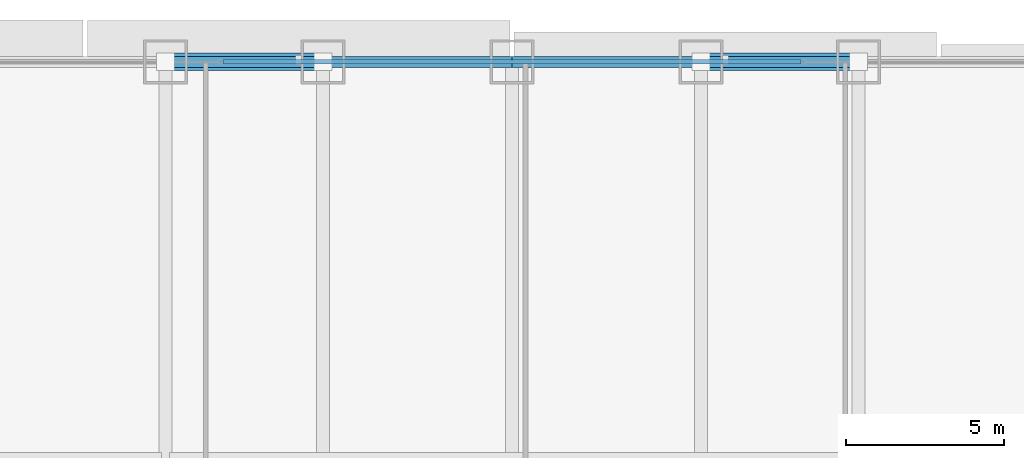
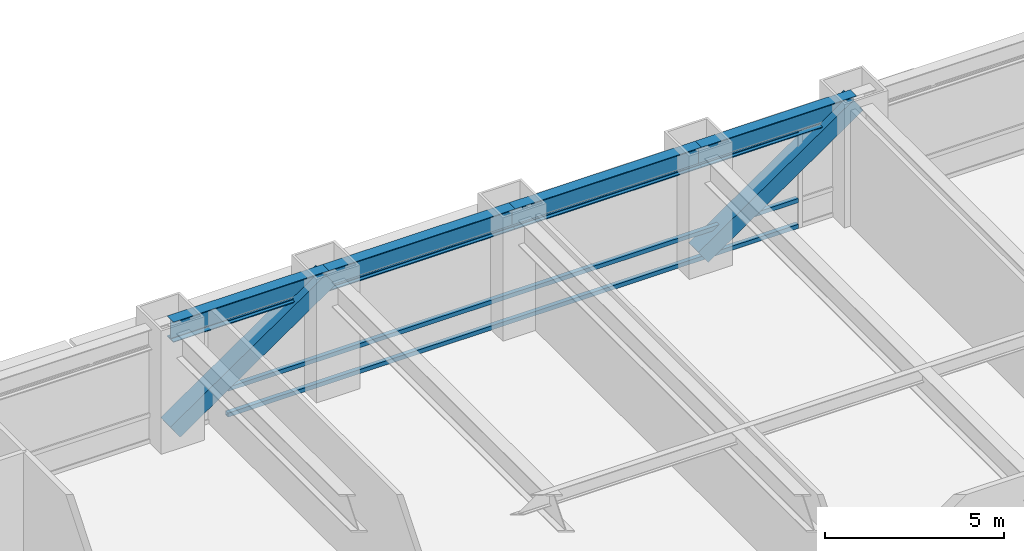
# One storey, part 20 of 31: 5 members, 4 beams, 1 element without a shape of its own.
"""IFC4 building model written with IfcOpenShell, lengths in metres."""

from ifc_helpers import new_model, si_unit, direction, frame, origin, origin_2d, place, context, subcontext, project, spatial, hollow_rectangle, i_section, extrude, source, transform, mapped, material, material_profile, profile_set, type_object, element, aggregate, save


model = new_model("IFC4")

# Units and contexts
model_context = context("Model", 3, precision=1e-05, world=origin(), true_north=direction((0.0, 1.0)))
body_context = subcontext(model_context, "Body", "Model", "MODEL_VIEW")
ifc_project = project(units=[si_unit("LENGTHUNIT", "METRE"), si_unit("AREAUNIT", "SQUARE_METRE"), si_unit("VOLUMEUNIT", "CUBIC_METRE"), si_unit("PLANEANGLEUNIT", "RADIAN"), si_unit("MASSUNIT", "GRAM", prefix="KILO")], contexts=[model_context])

# Site, building, storey
site_placement = place(None, origin())
site = spatial("IfcSite", under=ifc_project, at=site_placement, CompositionType="ELEMENT")
building_placement = place(site_placement, origin())
building = spatial("IfcBuilding", under=site, at=building_placement, Name="Khorayat Bourse Tower", CompositionType="ELEMENT")
storey_placement = place(building_placement, frame((0.0, 0.0, 36.800048828125)))
storey = spatial("IfcBuildingStorey", under=building, at=storey_placement, Name="L07", CompositionType="ELEMENT", Elevation=36.800048828125)

# Beams
ifc_material_1 = material(Name="Steel ASTM A992 Grade 50", Category="steel")
ifc_material_profile_1 = material_profile(ifc_material_1, i_section(OverallWidth=0.35498046875, OverallDepth=0.695068359375, WebThickness=0.015380859375, FlangeThickness=0.02490234375, FilletRadius=0.01806640625, at=origin_2d()), Name="W690X217")
ifc_profile_set_1 = profile_set([ifc_material_profile_1], Name="Steel ASTM A992 Grade 50")
beam_type = type_object("IfcBeamType", Name="BM-SPAN-690", PredefinedType="SPANDREL", material=ifc_profile_set_1)
shared_shape_1 = source(origin(), body_context, "Body", "SweptSolid", [
    extrude(i_section(OverallWidth=0.35498046875, OverallDepth=0.695068359375, WebThickness=0.015380859375, FlangeThickness=0.02490234375, FilletRadius=0.01806640625, at=origin_2d()), origin(), (0.0, 0.0, 1.0), 5.0),
])
for number, where, z_axis, x_axis, name in (
    (1, (6.0, 32.0, 3.592529296875), (1.0, 0.0, 0.0), (0.0, 1.0, 0.0), "L07 BM-SPAN-690 BM-L07-SPN-046"),
    (2, (-11.0, 32.0, 3.592529296875), (1.0, 0.0, 0.0), (0.0, 1.0, 0.0), "L07 BM-SPAN-690 BM-L07-SPN-049"),
):
    element("IfcBeam", number, at=place(storey_placement, frame(where, z_axis=z_axis, x_axis=x_axis)), inside=storey, type_object=beam_type, Name=name, PredefinedType="SPANDREL", context=body_context, shape_type="MappedRepresentation", body=[
        mapped(shared_shape_1, transform((0.0, 0.0, 0.0), scale=1.0)),
    ])
shared_shape_2 = source(origin(), body_context, "Body", "SweptSolid", [
    extrude(i_section(OverallWidth=0.35498046875, OverallDepth=0.695068359375, WebThickness=0.015380859375, FlangeThickness=0.02490234375, FilletRadius=0.01806640625, at=origin_2d()), origin(), (0.0, 0.0, 1.0), 6.0),
])
for number, where, z_axis, x_axis, name in (
    (3, (0.0, 32.0, 3.592529296875), (1.0, 0.0, 0.0), (0.0, 1.0, 0.0), "L07 BM-SPAN-690 BM-L07-SPN-047"),
    (4, (-6.0, 32.0, 3.592529296875), (1.0, 0.0, 0.0), (0.0, 1.0, 0.0), "L07 BM-SPAN-690 BM-L07-SPN-048"),
):
    element("IfcBeam", number, at=place(storey_placement, frame(where, z_axis=z_axis, x_axis=x_axis)), inside=storey, type_object=beam_type, Name=name, PredefinedType="SPANDREL", context=body_context, shape_type="MappedRepresentation", body=[
        mapped(shared_shape_2, transform((0.0, 0.0, 0.0), scale=1.0)),
    ])

# Members
ifc_material_2 = material(Name="Steel EN 10025-4 S460M", Category="steel")
ifc_material_profile_2 = material_profile(ifc_material_2, hollow_rectangle(XDim=0.550048828125, YDim=0.550048828125, WallThickness=0.031982421875, at=origin_2d()), Name="HSS 550x550x32")
ifc_profile_set_2 = profile_set([ifc_material_profile_2], Name="Steel EN 10025-4 S460M")
member_type_1 = type_object("IfcMemberType", Name="MBR-TUBE-550", PredefinedType="BRACE", material=ifc_profile_set_2)
shared_shape_3 = source(origin(), body_context, "Body", "SweptSolid", [
    extrude(hollow_rectangle(XDim=0.550048828125, YDim=0.550048828125, WallThickness=0.031982421875, at=origin_2d()), origin(), (0.0, 0.0, 1.0), 6.069091796875),
])
for number, where, z_axis, x_axis, name in (
    (5, (-11.0, 32.0, 0.25), (0.823854080622, 0.0, 0.566801952928), (0.0, 1.0, 0.0), "L07 Perimeter Tube Brace 03"),
    (6, (6.0, 32.0, 0.25), (0.823854080622, 0.0, 0.566801952928), (0.0, 1.0, 0.0), "L07 Perimeter Tube Brace 04"),
):
    element("IfcMember", number, at=place(storey_placement, frame(where, z_axis=z_axis, x_axis=x_axis)), inside=storey, type_object=member_type_1, Name=name, PredefinedType="BRACE", context=body_context, shape_type="MappedRepresentation", body=[
        mapped(shared_shape_3, transform((0.0, 0.0, 0.0), scale=1.0)),
    ])

# Curtain wall, members
ifc_material_3 = material(Name="Aluminium EN AW-6063 T6", Category="aluminium")
curtain_wall_type = type_object("IfcCurtainWallType", Name="CW-SYS-02", PredefinedType="NOTDEFINED", material=ifc_material_3)
curtain_wall_placement = place(storey_placement, origin())
curtain_wall = element("IfcCurtainWall", 7, at=curtain_wall_placement, inside=storey, type_object=curtain_wall_type, Name="L07 Curtain Wall CW-L07-N1", PredefinedType="NOTDEFINED")
ifc_material_profile_3 = material_profile(ifc_material_3, hollow_rectangle(XDim=0.139892578125, YDim=0.139892578125, WallThickness=0.006103515625, at=origin_2d()), Name="ALU 140x140x6")
ifc_profile_set_3 = profile_set([ifc_material_profile_3], Name="Aluminium EN AW-6063 T6")
member_type_2 = type_object("IfcMemberType", Name="CWT-HORZ-140", PredefinedType="USERDEFINED", material=ifc_profile_set_3)
shared_shape_4 = source(origin(), body_context, "Body", "SweptSolid", [
    extrude(hollow_rectangle(XDim=0.139892578125, YDim=0.139892578125, WallThickness=0.006103515625, at=origin_2d()), origin(), (0.0, 0.0, 1.0), 18.35986328125),
])
member_1_placement = place(storey_placement, frame((-9.179931640625, 32.0, 0.070068359375), z_axis=(1.0, 0.0, 0.0), x_axis=(0.0, 1.0, 0.0)))
member_1 = element("IfcMember", 8, at=member_1_placement, type_object=member_type_2, Name="CW-L07-N1 Horizontal Transom 2-1", ObjectType="TRANSOM", PredefinedType="USERDEFINED", context=body_context, shape_type="MappedRepresentation", body=[
    mapped(shared_shape_4, transform((0.0, 0.0, 0.0), scale=1.0)),
])
member_2_placement = place(storey_placement, frame((-9.179931640625, 32.0, 0.949951171875), z_axis=(1.0, 0.0, 0.0), x_axis=(0.0, 1.0, 0.0)))
member_2 = element("IfcMember", 9, at=member_2_placement, type_object=member_type_2, Name="CW-L07-N1 Horizontal Transom 2-2", ObjectType="TRANSOM", PredefinedType="USERDEFINED", context=body_context, shape_type="MappedRepresentation", body=[
    mapped(shared_shape_4, transform((0.0, 0.0, 0.0), scale=1.0)),
])
member_3_placement = place(storey_placement, frame((-9.179931640625, 32.0, 3.219970703125), z_axis=(1.0, 0.0, 0.0), x_axis=(0.0, 1.0, 0.0)))
member_3 = element("IfcMember", 10, at=member_3_placement, type_object=member_type_2, Name="CW-L07-N1 Horizontal Transom 2-3", ObjectType="TRANSOM", PredefinedType="USERDEFINED", context=body_context, shape_type="MappedRepresentation", body=[
    mapped(shared_shape_4, transform((0.0, 0.0, 0.0), scale=1.0)),
])
aggregate(curtain_wall, [member_1, member_2, member_3])

save(model, "model.ifc")
